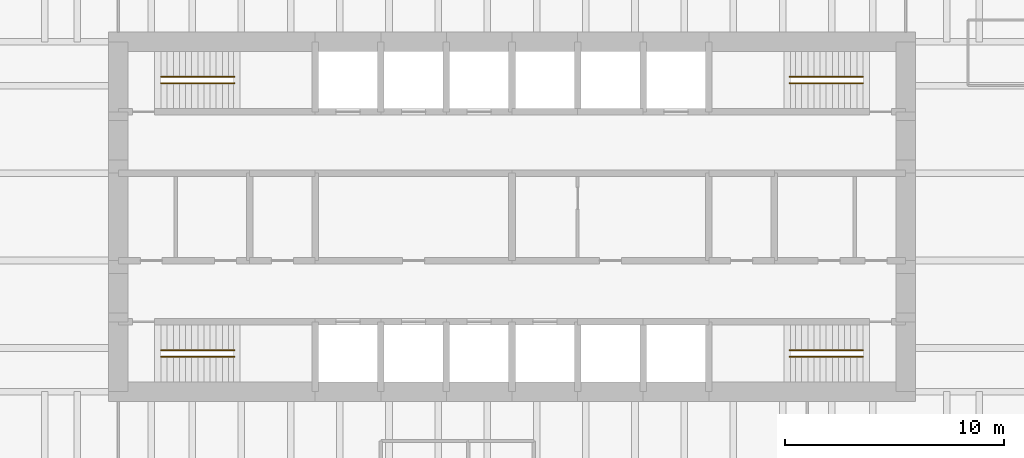
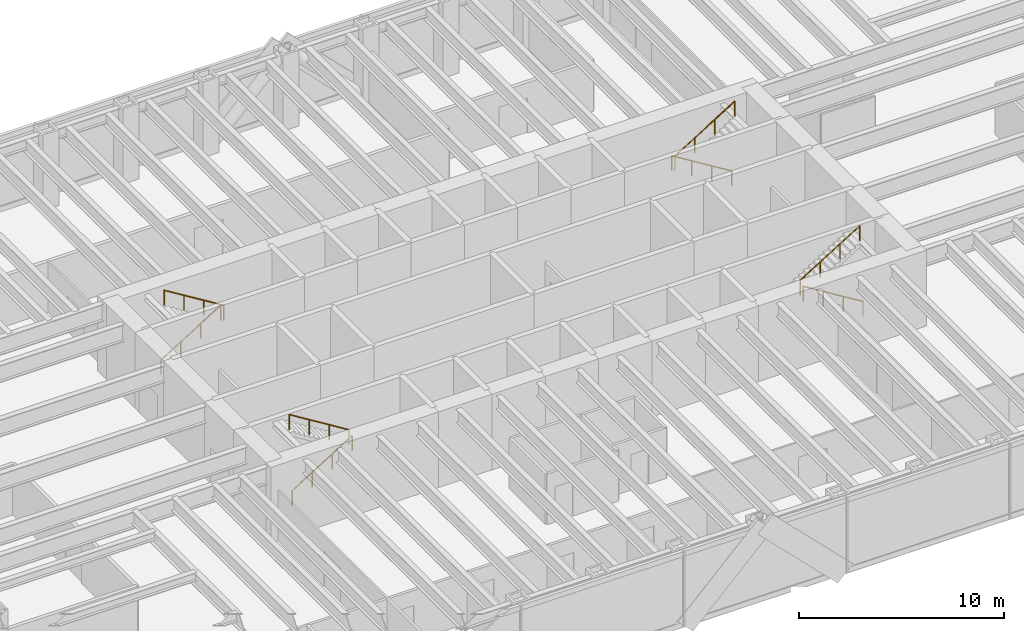
# One storey, part 13 of 13: 8 railings.
"""IFC4 building model written with IfcOpenShell, lengths in metres."""

import ifcopenshell
import ifcopenshell.guid

model = None  # the IFC model being written
_history = None  # IfcOwnerHistory: only IFC2X3 demands one
_inside = {}  # id of a spatial element -> (the spatial element, [elements in it])
_under = {}  # id of a project, library or spatial element -> (it, [spatial elements below it])
_declared = {}  # id of a project -> (the project, [libraries it declares])
_typed = {}  # id of a type object -> (the type object, [elements of that type])
_made_of = {}  # id of a material, layer set ... -> (it, [elements and type objects made of it])


def new_model(schema):
    """Start an empty IFC model of exactly this schema.

    Asked for "IFC4X3", IfcOpenShell would pick the latest addendum, in which some entities
    have other attributes; the version numbers below select the first issue.
    IFC2X3 requires an IfcOwnerHistory on every rooted entity: one is made here for all.
    """
    global model, _history
    if schema == "IFC4X3":
        model = ifcopenshell.file(schema_version=(4, 3, 0, 0))
    else:
        model = ifcopenshell.file(schema=schema)
    _inside.clear()
    _under.clear()
    _declared.clear()
    _typed.clear()
    _made_of.clear()
    _history = None
    if model.schema == "IFC2X3":
        org = make("IfcOrganization", Name="unknown")
        user = make(
            "IfcPersonAndOrganization",
            ThePerson=make("IfcPerson", FamilyName="unknown"),
            TheOrganization=org,
        )
        app = make(
            "IfcApplication",
            ApplicationDeveloper=org,
            Version="unknown",
            ApplicationFullName="unknown",
            ApplicationIdentifier="unknown",
        )
        _history = make(
            "IfcOwnerHistory",
            OwningUser=user,
            OwningApplication=app,
            ChangeAction="ADDED",
            CreationDate=0,
        )
    return model


def make(cls, **values):
    """One entity of the class cls with the attributes given. An attribute that is None is left unset."""
    return model.create_entity(
        cls, **{name: value for name, value in values.items() if value is not None}
    )


def rooted(cls, **values):
    """An entity with a GlobalId (a new one), such as an element, a storey or a relation."""
    return make(cls, GlobalId=ifcopenshell.guid.new(), OwnerHistory=_history, **values)


def si_unit(unit_type, name, prefix=None):
    """IfcSIUnit, for example si_unit("LENGTHUNIT", "METRE", prefix="MILLI")."""
    return make("IfcSIUnit", UnitType=unit_type, Prefix=prefix, Name=name)


def assignment(units):
    """IfcUnitAssignment: the units of a project."""
    return None if units is None else make("IfcUnitAssignment", Units=units)


def point(xyz):
    """IfcCartesianPoint."""
    return None if xyz is None else make("IfcCartesianPoint", Coordinates=xyz)


def direction(xyz):
    """IfcDirection."""
    return None if xyz is None else make("IfcDirection", DirectionRatios=xyz)


def frame(location, z_axis=None, x_axis=None):
    """IfcAxis2Placement3D, a coordinate frame: its origin and axes. An axis left out is left unset."""
    return make(
        "IfcAxis2Placement3D",
        Location=point(location),
        Axis=direction(z_axis),
        RefDirection=direction(x_axis),
    )


def frame_2d(location, x_axis=None):
    """IfcAxis2Placement2D, a coordinate frame in the plane: its origin and x axis."""
    return make(
        "IfcAxis2Placement2D", Location=point(location), RefDirection=direction(x_axis)
    )


def origin():
    """The frame at (0, 0, 0) with its axes left unset."""
    return frame((0.0, 0.0, 0.0))


def origin_2d():
    """The frame at (0, 0) in the plane with its x axis left unset."""
    return frame_2d((0.0, 0.0))


def place(relative_to, where):
    """IfcLocalPlacement: puts the frame where relative to a parent placement (None: the world)."""
    return make(
        "IfcLocalPlacement", PlacementRelTo=relative_to, RelativePlacement=where
    )


def context(
    kind, dimensions, precision=None, world=None, true_north=None, identifier=None
):
    """IfcGeometricRepresentationContext, for example the 3D "Model" context."""
    return make(
        "IfcGeometricRepresentationContext",
        ContextIdentifier=identifier,
        ContextType=kind,
        CoordinateSpaceDimension=dimensions,
        Precision=precision,
        WorldCoordinateSystem=world,
        TrueNorth=true_north,
    )


def subcontext(parent, identifier, kind, view, scale=None):
    """IfcGeometricRepresentationSubContext, for example "Body" below "Model"."""
    return make(
        "IfcGeometricRepresentationSubContext",
        ContextIdentifier=identifier,
        ContextType=kind,
        ParentContext=parent,
        TargetScale=scale,
        TargetView=view,
    )


def project(units=None, contexts=None):
    """IfcProject with its units and contexts."""
    return rooted(
        "IfcProject",
        Name="project",
        RepresentationContexts=contexts,
        UnitsInContext=assignment(units),
    )


def spatial(cls, under=None, at=None, **own):
    """A site, building, storey or space (cls), placed at a placement, below another one or the project."""
    s = rooted(cls, ObjectPlacement=at, **own)
    if under is not None:
        _under.setdefault(under.id(), (under, []))[1].append(s)
    return s


def profile(cls, at=None, kind="AREA", **sizes):
    """A parametric profile (cls). Its sizes go by their IFC names, for example OverallWidth=200.0."""
    return make(cls, ProfileType=kind, Position=at, **sizes)


def circle(**sizes):
    """IfcCircleProfileDef."""
    return profile("IfcCircleProfileDef", **sizes)


def extrude(swept, where, along, depth):
    """IfcExtrudedAreaSolid: the profile swept, set in the frame where, extruded along a direction by depth."""
    return make(
        "IfcExtrudedAreaSolid",
        SweptArea=swept,
        Position=where,
        ExtrudedDirection=direction(along),
        Depth=depth,
    )


def shape(context_of_items, identifier, shape_type, items):
    """IfcShapeRepresentation: the items that make up one representation, for example the "Body"."""
    return make(
        "IfcShapeRepresentation",
        ContextOfItems=context_of_items,
        RepresentationIdentifier=identifier,
        RepresentationType=shape_type,
        Items=items,
    )


def material(Name=None, Category=None):
    """IfcMaterial."""
    return make("IfcMaterial", Name=Name, Category=Category)


def made_of(thing, what):
    """Note that an element or type object is made of a material, layer set ...; save() writes the relation."""
    if what is not None:
        _made_of.setdefault(what.id(), (what, []))[1].append(thing)
    return thing


def type_object(cls, material=None, **own):
    """A type object (cls), such as IfcWallType, which elements share."""
    return made_of(rooted(cls, **own), material)


def element(
    cls,
    number,
    at=None,
    inside=None,
    cuts=None,
    type_object=None,
    material=None,
    context=None,
    identifier="Body",
    shape_type=None,
    held_by="IfcProductDefinitionShape",
    body=None,
    shapes=None,
    **own,
):
    """One element of the class cls, such as IfcWall. Its Tag is "e" and its number.

    at: its placement. inside: the storey or other place that contains it. cuts: it is an
    opening in that element (IfcRelVoidsElement). A single representation is given by context,
    identifier, shape_type and body (its items); several are given by shapes. held_by: the class
    of the entity that holds the representations. save() writes the other relations.
    """
    e = rooted(cls, Tag="e%d" % number, ObjectPlacement=at, **own)
    if body is not None:
        shapes = [shape(context, identifier, shape_type, body)]
    if shapes is not None:
        e.Representation = make(held_by, Representations=shapes)
    if inside is not None:
        _inside.setdefault(inside.id(), (inside, []))[1].append(e)
    if cuts is not None:
        rooted(
            "IfcRelVoidsElement", RelatingBuildingElement=cuts, RelatedOpeningElement=e
        )
    if type_object is not None:
        _typed.setdefault(type_object.id(), (type_object, []))[1].append(e)
    return made_of(e, material)


def aggregate(whole, parts):
    """IfcRelAggregates: a whole, such as a stair, and the parts it consists of."""
    return rooted("IfcRelAggregates", RelatingObject=whole, RelatedObjects=parts)


def save(model, path):
    """Write the relations noted so far, then the file.

    IfcRelAggregates (storeys below a building ...), IfcRelContainedInSpatialStructure (elements
    in a storey), IfcRelDefinesByType, IfcRelAssociatesMaterial and IfcRelDeclares: one each for
    every whole, place, type object, material and project.
    """
    for whole, parts in _under.values():
        aggregate(whole, parts)
    for where, things in _inside.values():
        rooted(
            "IfcRelContainedInSpatialStructure",
            RelatedElements=things,
            RelatingStructure=where,
        )
    for kind, things in _typed.values():
        rooted("IfcRelDefinesByType", RelatedObjects=things, RelatingType=kind)
    for what, things in _made_of.values():
        rooted("IfcRelAssociatesMaterial", RelatedObjects=things, RelatingMaterial=what)
    for by, libraries in _declared.values():
        rooted("IfcRelDeclares", RelatingContext=by, RelatedDefinitions=libraries)
    model.write(path)


model = new_model("IFC4")

# Units and contexts
model_context = context("Model", 3, precision=1e-05, world=origin(), true_north=direction((0.0, 1.0)))
body_context = subcontext(model_context, "Body", "Model", "MODEL_VIEW")
ifc_project = project(units=[si_unit("LENGTHUNIT", "METRE"), si_unit("AREAUNIT", "SQUARE_METRE"), si_unit("VOLUMEUNIT", "CUBIC_METRE"), si_unit("PLANEANGLEUNIT", "RADIAN"), si_unit("MASSUNIT", "GRAM", prefix="KILO")], contexts=[model_context])

# Site, building, storey
site_placement = place(None, origin())
site = spatial("IfcSite", under=ifc_project, at=site_placement, CompositionType="ELEMENT")
building_placement = place(site_placement, origin())
building = spatial("IfcBuilding", under=site, at=building_placement, Name="Rheinbord Bourse Tower", CompositionType="ELEMENT")
storey_placement = place(building_placement, frame((0.0, 0.0, 59.0)))
storey = spatial("IfcBuildingStorey", under=building, at=storey_placement, Name="L12", CompositionType="ELEMENT", Elevation=59.0)

# Railings
ifc_material = material(Name="Steel handrail", Category="steel")
railing_type = type_object("IfcRailingType", Name="HANDRAIL 900", PredefinedType="HANDRAIL", material=ifc_material)
railing_1_placement = place(storey_placement, frame((19.949951171875, 17.60009765625, 0.173095703125)))
element("IfcRailing", 1, at=railing_1_placement, inside=storey, type_object=railing_type, Name="Handrail", PredefinedType="HANDRAIL", context=body_context, shape_type="SweptSolid", body=[
    extrude(circle(Radius=0.02392578125, at=origin_2d()), frame((0.0, 0.0, 0.8759765625), z_axis=(0.850623216509, 0.0, 0.525775754039), x_axis=(0.0, 1.0, 0.0)), (0.0, 0.0, 1.0), 3.9501953125),
    extrude(circle(Radius=0.02099609375, at=origin_2d()), origin(), (0.0, 0.0, 1.0), 0.851806640625),
    extrude(circle(Radius=0.02099609375, at=origin_2d()), frame((1.1201171875, 0.0, 0.6923828125)), (0.0, 0.0, 1.0), 0.851806640625),
    extrude(circle(Radius=0.02099609375, at=origin_2d()), frame((2.239990234375, 0.0, 1.384521484375)), (0.0, 0.0, 1.0), 0.851806640625),
    extrude(circle(Radius=0.02099609375, at=origin_2d()), frame((3.360107421875, 0.0, 2.076904296875)), (0.0, 0.0, 1.0), 0.851806640625),
])
railing_2_placement = place(storey_placement, frame((23.31005859375, 17.89990234375, 2.423095703125)))
element("IfcRailing", 2, at=railing_2_placement, inside=storey, type_object=railing_type, Name="Handrail", PredefinedType="HANDRAIL", context=body_context, shape_type="SweptSolid", body=[
    extrude(circle(Radius=0.02392578125, at=origin_2d()), frame((0.0, 0.0, 0.8759765625), z_axis=(-0.850623216509, 0.0, 0.525775754039), x_axis=(0.0, -1.0, 0.0)), (0.0, 0.0, 1.0), 3.9501953125),
    extrude(circle(Radius=0.02099609375, at=origin_2d()), origin(), (0.0, 0.0, 1.0), 0.851806640625),
    extrude(circle(Radius=0.02099609375, at=origin_2d()), frame((-1.1201171875, 0.0, 0.6923828125)), (0.0, 0.0, 1.0), 0.851806640625),
    extrude(circle(Radius=0.02099609375, at=origin_2d()), frame((-2.239990234375, 0.0, 1.384521484375)), (0.0, 0.0, 1.0), 0.851806640625),
    extrude(circle(Radius=0.02099609375, at=origin_2d()), frame((-3.360107421875, 0.0, 2.076904296875)), (0.0, 0.0, 1.0), 0.851806640625),
])
railing_3_placement = place(storey_placement, frame((19.949951171875, 30.39990234375, 0.173095703125)))
element("IfcRailing", 3, at=railing_3_placement, inside=storey, type_object=railing_type, Name="Handrail", PredefinedType="HANDRAIL", context=body_context, shape_type="SweptSolid", body=[
    extrude(circle(Radius=0.02392578125, at=origin_2d()), frame((0.0, 0.0, 0.8759765625), z_axis=(0.850623216509, 0.0, 0.525775754039), x_axis=(0.0, 1.0, 0.0)), (0.0, 0.0, 1.0), 3.9501953125),
    extrude(circle(Radius=0.02099609375, at=origin_2d()), origin(), (0.0, 0.0, 1.0), 0.851806640625),
    extrude(circle(Radius=0.02099609375, at=origin_2d()), frame((1.1201171875, 0.0, 0.6923828125)), (0.0, 0.0, 1.0), 0.851806640625),
    extrude(circle(Radius=0.02099609375, at=origin_2d()), frame((2.239990234375, 0.0, 1.384521484375)), (0.0, 0.0, 1.0), 0.851806640625),
    extrude(circle(Radius=0.02099609375, at=origin_2d()), frame((3.360107421875, 0.0, 2.076904296875)), (0.0, 0.0, 1.0), 0.851806640625),
])
for number, where, name in (
    (4, (23.31005859375, 30.10009765625, 2.423095703125), "Handrail"),
    (5, (52.050048828125, 17.60009765625, 0.173095703125), "Handrail"),
):
    element("IfcRailing", number, at=place(storey_placement, frame(where)), inside=storey, type_object=railing_type, Name=name, PredefinedType="HANDRAIL", context=body_context, shape_type="SweptSolid", body=[
        extrude(circle(Radius=0.02392578125, at=origin_2d()), frame((0.0, 0.0, 0.8759765625), z_axis=(-0.850623216509, 0.0, 0.525775754039), x_axis=(0.0, -1.0, 0.0)), (0.0, 0.0, 1.0), 3.9501953125),
        extrude(circle(Radius=0.02099609375, at=origin_2d()), origin(), (0.0, 0.0, 1.0), 0.851806640625),
        extrude(circle(Radius=0.02099609375, at=origin_2d()), frame((-1.1201171875, 0.0, 0.6923828125)), (0.0, 0.0, 1.0), 0.851806640625),
        extrude(circle(Radius=0.02099609375, at=origin_2d()), frame((-2.239990234375, 0.0, 1.384521484375)), (0.0, 0.0, 1.0), 0.851806640625),
        extrude(circle(Radius=0.02099609375, at=origin_2d()), frame((-3.360107421875, 0.0, 2.076904296875)), (0.0, 0.0, 1.0), 0.851806640625),
    ])
railing_4_placement = place(storey_placement, frame((48.68994140625, 17.89990234375, 2.423095703125)))
element("IfcRailing", 6, at=railing_4_placement, inside=storey, type_object=railing_type, Name="Handrail", PredefinedType="HANDRAIL", context=body_context, shape_type="SweptSolid", body=[
    extrude(circle(Radius=0.02392578125, at=origin_2d()), frame((0.0, 0.0, 0.8759765625), z_axis=(0.850623216509, 0.0, 0.525775754039), x_axis=(0.0, 1.0, 0.0)), (0.0, 0.0, 1.0), 3.9501953125),
    extrude(circle(Radius=0.02099609375, at=origin_2d()), origin(), (0.0, 0.0, 1.0), 0.851806640625),
    extrude(circle(Radius=0.02099609375, at=origin_2d()), frame((1.1201171875, 0.0, 0.6923828125)), (0.0, 0.0, 1.0), 0.851806640625),
    extrude(circle(Radius=0.02099609375, at=origin_2d()), frame((2.239990234375, 0.0, 1.384521484375)), (0.0, 0.0, 1.0), 0.851806640625),
    extrude(circle(Radius=0.02099609375, at=origin_2d()), frame((3.360107421875, 0.0, 2.076904296875)), (0.0, 0.0, 1.0), 0.851806640625),
])
railing_5_placement = place(storey_placement, frame((52.050048828125, 30.39990234375, 0.173095703125)))
element("IfcRailing", 7, at=railing_5_placement, inside=storey, type_object=railing_type, Name="Handrail", PredefinedType="HANDRAIL", context=body_context, shape_type="SweptSolid", body=[
    extrude(circle(Radius=0.02392578125, at=origin_2d()), frame((0.0, 0.0, 0.8759765625), z_axis=(-0.850623216509, 0.0, 0.525775754039), x_axis=(0.0, -1.0, 0.0)), (0.0, 0.0, 1.0), 3.9501953125),
    extrude(circle(Radius=0.02099609375, at=origin_2d()), origin(), (0.0, 0.0, 1.0), 0.851806640625),
    extrude(circle(Radius=0.02099609375, at=origin_2d()), frame((-1.1201171875, 0.0, 0.6923828125)), (0.0, 0.0, 1.0), 0.851806640625),
    extrude(circle(Radius=0.02099609375, at=origin_2d()), frame((-2.239990234375, 0.0, 1.384521484375)), (0.0, 0.0, 1.0), 0.851806640625),
    extrude(circle(Radius=0.02099609375, at=origin_2d()), frame((-3.360107421875, 0.0, 2.076904296875)), (0.0, 0.0, 1.0), 0.851806640625),
])
railing_6_placement = place(storey_placement, frame((48.68994140625, 30.10009765625, 2.423095703125)))
element("IfcRailing", 8, at=railing_6_placement, inside=storey, type_object=railing_type, Name="Handrail", PredefinedType="HANDRAIL", context=body_context, shape_type="SweptSolid", body=[
    extrude(circle(Radius=0.02392578125, at=origin_2d()), frame((0.0, 0.0, 0.8759765625), z_axis=(0.850623216509, 0.0, 0.525775754039), x_axis=(0.0, 1.0, 0.0)), (0.0, 0.0, 1.0), 3.9501953125),
    extrude(circle(Radius=0.02099609375, at=origin_2d()), origin(), (0.0, 0.0, 1.0), 0.851806640625),
    extrude(circle(Radius=0.02099609375, at=origin_2d()), frame((1.1201171875, 0.0, 0.6923828125)), (0.0, 0.0, 1.0), 0.851806640625),
    extrude(circle(Radius=0.02099609375, at=origin_2d()), frame((2.239990234375, 0.0, 1.384521484375)), (0.0, 0.0, 1.0), 0.851806640625),
    extrude(circle(Radius=0.02099609375, at=origin_2d()), frame((3.360107421875, 0.0, 2.076904296875)), (0.0, 0.0, 1.0), 0.851806640625),
])

save(model, "model.ifc")
